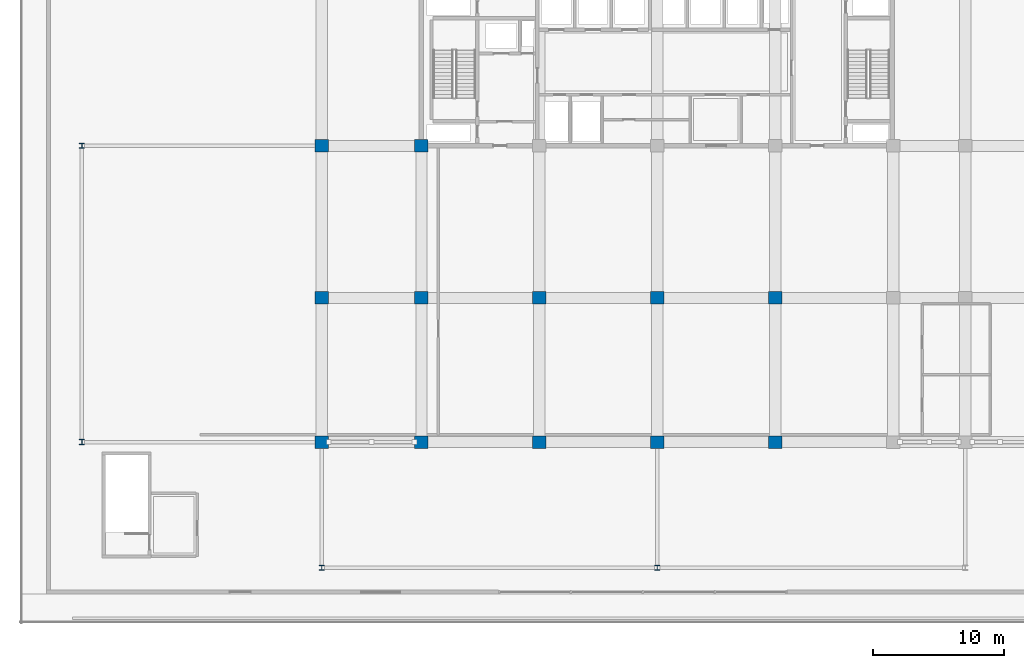
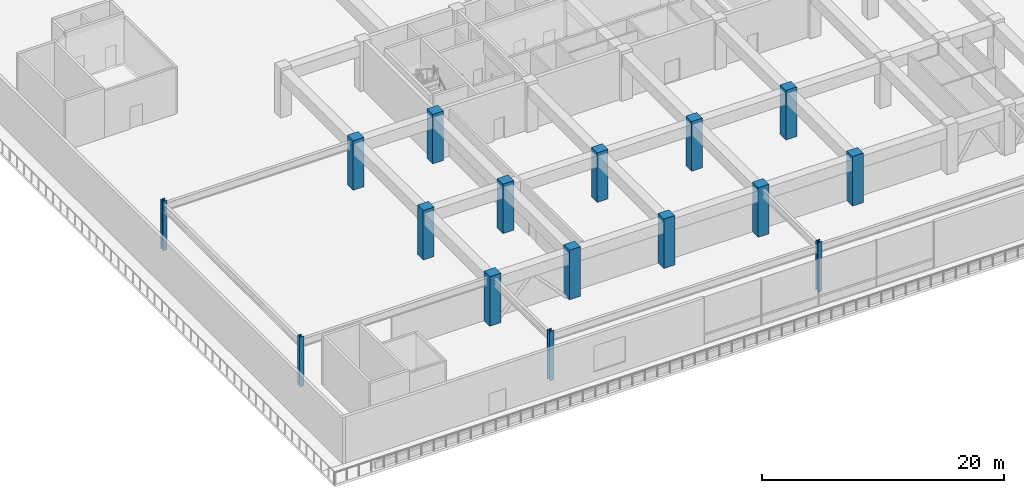
# One storey, part 1 of 38: 16 columns.
"""IFC4 building model written with IfcOpenShell, lengths in metres."""

from ifc_helpers import new_model, si_unit, direction, frame, origin, origin_2d, place, context, subcontext, project, spatial, rectangle, i_section, extrude, material, material_profile, profile_set, type_object, element, save


model = new_model("IFC4")

# Units and contexts
model_context = context("Model", 3, precision=1e-05, world=origin(), true_north=direction((0.0, 1.0)))
body_context = subcontext(model_context, "Body", "Model", "MODEL_VIEW")
ifc_project = project(units=[si_unit("LENGTHUNIT", "METRE"), si_unit("AREAUNIT", "SQUARE_METRE"), si_unit("VOLUMEUNIT", "CUBIC_METRE"), si_unit("PLANEANGLEUNIT", "RADIAN"), si_unit("MASSUNIT", "GRAM", prefix="KILO")], contexts=[model_context])

# Site, building, storey
site_placement = place(None, origin())
site = spatial("IfcSite", under=ifc_project, at=site_placement, CompositionType="ELEMENT")
building_placement = place(site_placement, origin())
building = spatial("IfcBuilding", under=site, at=building_placement, Name="Korimba Cascade Residences", CompositionType="ELEMENT")
storey_placement = place(building_placement, frame((0.0, 0.0, 19.0)))
storey = spatial("IfcBuildingStorey", under=building, at=storey_placement, Name="L04", CompositionType="ELEMENT", Elevation=19.0)

# Columns
ifc_material_1 = material(Name="Concrete C80/95", Category="concrete")
ifc_material_profile_1 = material_profile(ifc_material_1, rectangle(XDim=1.050048828125, YDim=0.949951171875, at=origin_2d()), Name="Concrete C80/95")
ifc_profile_set_1 = profile_set([ifc_material_profile_1], Name="Concrete C80/95")
column_type_1 = type_object("IfcColumnType", Name="COL-RC-1050", PredefinedType="COLUMN", material=ifc_profile_set_1)
for number, where, z_axis, x_axis, name in (
    (1, (74.5, -4.199951171875, 0.0), (0.0, 0.0, 1.0), (1.0, 0.0, 0.0), "L04 Tower 2 Column 1.1"),
    (2, (74.5, 6.800048828125, 0.0), (0.0, 0.0, 1.0), (1.0, 0.0, 0.0), "L04 Tower 2 Column 1.2"),
    (3, (74.5, 18.39990234375, 0.0), (0.0, 0.0, 1.0), (1.0, 0.0, 0.0), "L04 Tower 2 Column 1.3"),
    (4, (82.10009765625, -4.199951171875, 0.0), (0.0, 0.0, 1.0), (1.0, 0.0, 0.0), "L04 Tower 2 Column 2.1"),
    (5, (82.10009765625, 6.800048828125, 0.0), (0.0, 0.0, 1.0), (1.0, 0.0, 0.0), "L04 Tower 2 Column 2.2"),
    (6, (82.10009765625, 18.39990234375, 0.0), (0.0, 0.0, 1.0), (1.0, 0.0, 0.0), "L04 Tower 2 Column 2.3"),
    (7, (91.10009765625, -4.199951171875, 0.0), (0.0, 0.0, 1.0), (1.0, 0.0, 0.0), "L04 Tower 2 Column 3.1"),
    (8, (91.10009765625, 6.800048828125, 0.0), (0.0, 0.0, 1.0), (1.0, 0.0, 0.0), "L04 Tower 2 Column 3.2"),
    (9, (100.10009765625, -4.199951171875, 0.0), (0.0, 0.0, 1.0), (1.0, 0.0, 0.0), "L04 Tower 2 Column 4.1"),
    (10, (100.10009765625, 6.800048828125, 0.0), (0.0, 0.0, 1.0), (1.0, 0.0, 0.0), "L04 Tower 2 Column 4.2"),
    (11, (109.10009765625, -4.199951171875, 0.0), (0.0, 0.0, 1.0), (1.0, 0.0, 0.0), "L04 Tower 2 Column 5.1"),
    (12, (109.10009765625, 6.800048828125, 0.0), (0.0, 0.0, 1.0), (1.0, 0.0, 0.0), "L04 Tower 2 Column 5.2"),
):
    element("IfcColumn", number, at=place(storey_placement, frame(where, z_axis=z_axis, x_axis=x_axis)), inside=storey, type_object=column_type_1, Name=name, PredefinedType="COLUMN", context=body_context, shape_type="SweptSolid", body=[
        extrude(rectangle(XDim=1.050048828125, YDim=0.949951171875, at=origin_2d()), origin(), (0.0, 0.0, 1.0), 5.0),
    ])
ifc_material_2 = material(Name="Steel S355", Category="steel")
ifc_material_profile_2 = material_profile(ifc_material_2, i_section(OverallWidth=0.39892578125, OverallDepth=0.3935546875, WebThickness=0.022705078125, FlangeThickness=0.03662109375, FilletRadius=0.01513671875, at=origin_2d()), Name="Steel S355")
ifc_profile_set_2 = profile_set([ifc_material_profile_2], Name="Steel S355")
column_type_2 = type_object("IfcColumnType", Name="COL-STL-UC287", PredefinedType="COLUMN", material=ifc_profile_set_2)
for number, where, z_axis, x_axis, name in (
    (13, (56.199951171875, -4.199951171875, 0.0), (0.0, 0.0, 1.0), (1.0, 0.0, 0.0), "L04 Podium Column PCW1"),
    (14, (56.199951171875, 18.39990234375, 0.0), (0.0, 0.0, 1.0), (1.0, 0.0, 0.0), "L04 Podium Column PCW2"),
    (15, (74.5, -13.800048828125, 0.0), (0.0, 0.0, 1.0), (1.0, 0.0, 0.0), "L04 Podium Column PCS1"),
    (16, (100.10009765625, -13.800048828125, 0.0), (0.0, 0.0, 1.0), (1.0, 0.0, 0.0), "L04 Podium Column PCS2"),
):
    element("IfcColumn", number, at=place(storey_placement, frame(where, z_axis=z_axis, x_axis=x_axis)), inside=storey, type_object=column_type_2, Name=name, PredefinedType="COLUMN", context=body_context, shape_type="SweptSolid", body=[
        extrude(i_section(OverallWidth=0.39892578125, OverallDepth=0.3935546875, WebThickness=0.022705078125, FlangeThickness=0.03662109375, FilletRadius=0.01513671875, at=origin_2d()), origin(), (0.0, 0.0, 1.0), 5.0),
    ])

save(model, "model.ifc")
